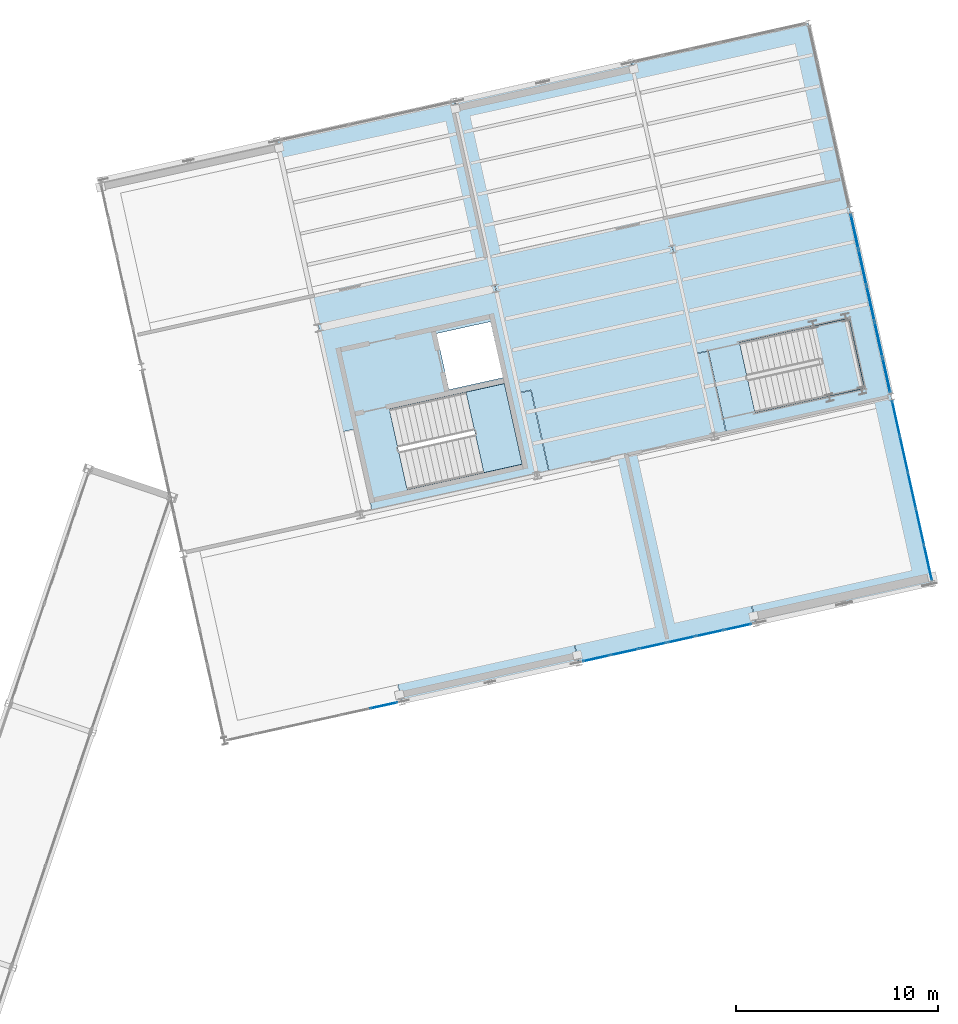
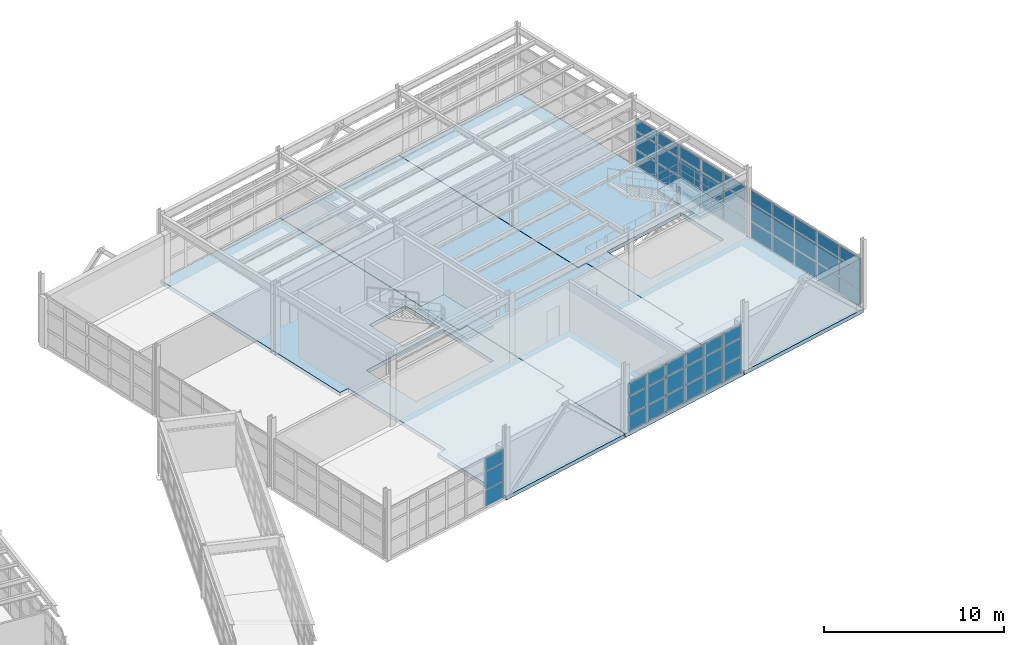
# One storey, part 72 of 102: 51 plates, 5 slabs, 6 elements without a shape of their own.
"""IFC4 building model written with IfcOpenShell, lengths in metres."""

import ifcopenshell
import ifcopenshell.guid

model = None  # the IFC model being written
_history = None  # IfcOwnerHistory: only IFC2X3 demands one
_inside = {}  # id of a spatial element -> (the spatial element, [elements in it])
_under = {}  # id of a project, library or spatial element -> (it, [spatial elements below it])
_declared = {}  # id of a project -> (the project, [libraries it declares])
_typed = {}  # id of a type object -> (the type object, [elements of that type])
_made_of = {}  # id of a material, layer set ... -> (it, [elements and type objects made of it])


def new_model(schema):
    """Start an empty IFC model of exactly this schema.

    Asked for "IFC4X3", IfcOpenShell would pick the latest addendum, in which some entities
    have other attributes; the version numbers below select the first issue.
    IFC2X3 requires an IfcOwnerHistory on every rooted entity: one is made here for all.
    """
    global model, _history
    if schema == "IFC4X3":
        model = ifcopenshell.file(schema_version=(4, 3, 0, 0))
    else:
        model = ifcopenshell.file(schema=schema)
    _inside.clear()
    _under.clear()
    _declared.clear()
    _typed.clear()
    _made_of.clear()
    _history = None
    if model.schema == "IFC2X3":
        org = make("IfcOrganization", Name="unknown")
        user = make(
            "IfcPersonAndOrganization",
            ThePerson=make("IfcPerson", FamilyName="unknown"),
            TheOrganization=org,
        )
        app = make(
            "IfcApplication",
            ApplicationDeveloper=org,
            Version="unknown",
            ApplicationFullName="unknown",
            ApplicationIdentifier="unknown",
        )
        _history = make(
            "IfcOwnerHistory",
            OwningUser=user,
            OwningApplication=app,
            ChangeAction="ADDED",
            CreationDate=0,
        )
    return model


def make(cls, **values):
    """One entity of the class cls with the attributes given. An attribute that is None is left unset."""
    return model.create_entity(
        cls, **{name: value for name, value in values.items() if value is not None}
    )


def rooted(cls, **values):
    """An entity with a GlobalId (a new one), such as an element, a storey or a relation."""
    return make(cls, GlobalId=ifcopenshell.guid.new(), OwnerHistory=_history, **values)


def si_unit(unit_type, name, prefix=None):
    """IfcSIUnit, for example si_unit("LENGTHUNIT", "METRE", prefix="MILLI")."""
    return make("IfcSIUnit", UnitType=unit_type, Prefix=prefix, Name=name)


def assignment(units):
    """IfcUnitAssignment: the units of a project."""
    return None if units is None else make("IfcUnitAssignment", Units=units)


def point(xyz):
    """IfcCartesianPoint."""
    return None if xyz is None else make("IfcCartesianPoint", Coordinates=xyz)


def direction(xyz):
    """IfcDirection."""
    return None if xyz is None else make("IfcDirection", DirectionRatios=xyz)


def frame(location, z_axis=None, x_axis=None):
    """IfcAxis2Placement3D, a coordinate frame: its origin and axes. An axis left out is left unset."""
    return make(
        "IfcAxis2Placement3D",
        Location=point(location),
        Axis=direction(z_axis),
        RefDirection=direction(x_axis),
    )


def frame_2d(location, x_axis=None):
    """IfcAxis2Placement2D, a coordinate frame in the plane: its origin and x axis."""
    return make(
        "IfcAxis2Placement2D", Location=point(location), RefDirection=direction(x_axis)
    )


def origin():
    """The frame at (0, 0, 0) with its axes left unset."""
    return frame((0.0, 0.0, 0.0))


def origin_2d():
    """The frame at (0, 0) in the plane with its x axis left unset."""
    return frame_2d((0.0, 0.0))


def place(relative_to, where):
    """IfcLocalPlacement: puts the frame where relative to a parent placement (None: the world)."""
    return make(
        "IfcLocalPlacement", PlacementRelTo=relative_to, RelativePlacement=where
    )


def context(
    kind, dimensions, precision=None, world=None, true_north=None, identifier=None
):
    """IfcGeometricRepresentationContext, for example the 3D "Model" context."""
    return make(
        "IfcGeometricRepresentationContext",
        ContextIdentifier=identifier,
        ContextType=kind,
        CoordinateSpaceDimension=dimensions,
        Precision=precision,
        WorldCoordinateSystem=world,
        TrueNorth=true_north,
    )


def subcontext(parent, identifier, kind, view, scale=None):
    """IfcGeometricRepresentationSubContext, for example "Body" below "Model"."""
    return make(
        "IfcGeometricRepresentationSubContext",
        ContextIdentifier=identifier,
        ContextType=kind,
        ParentContext=parent,
        TargetScale=scale,
        TargetView=view,
    )


def project(units=None, contexts=None):
    """IfcProject with its units and contexts."""
    return rooted(
        "IfcProject",
        Name="project",
        RepresentationContexts=contexts,
        UnitsInContext=assignment(units),
    )


def spatial(cls, under=None, at=None, **own):
    """A site, building, storey or space (cls), placed at a placement, below another one or the project."""
    s = rooted(cls, ObjectPlacement=at, **own)
    if under is not None:
        _under.setdefault(under.id(), (under, []))[1].append(s)
    return s


def polyline(points):
    """IfcPolyline through the points."""
    return make("IfcPolyline", Points=[point(p) for p in points])


def profile(cls, at=None, kind="AREA", **sizes):
    """A parametric profile (cls). Its sizes go by their IFC names, for example OverallWidth=200.0."""
    return make(cls, ProfileType=kind, Position=at, **sizes)


def rectangle(**sizes):
    """IfcRectangleProfileDef."""
    return profile("IfcRectangleProfileDef", **sizes)


def outline(outer, holes=None, kind="AREA"):
    """IfcArbitraryClosedProfileDef: a profile drawn as a closed curve; with holes, ...WithVoids."""
    if holes is None:
        return make("IfcArbitraryClosedProfileDef", ProfileType=kind, OuterCurve=outer)
    return make(
        "IfcArbitraryProfileDefWithVoids",
        ProfileType=kind,
        OuterCurve=outer,
        InnerCurves=holes,
    )


def extrude(swept, where, along, depth):
    """IfcExtrudedAreaSolid: the profile swept, set in the frame where, extruded along a direction by depth."""
    return make(
        "IfcExtrudedAreaSolid",
        SweptArea=swept,
        Position=where,
        ExtrudedDirection=direction(along),
        Depth=depth,
    )


def shape(context_of_items, identifier, shape_type, items):
    """IfcShapeRepresentation: the items that make up one representation, for example the "Body"."""
    return make(
        "IfcShapeRepresentation",
        ContextOfItems=context_of_items,
        RepresentationIdentifier=identifier,
        RepresentationType=shape_type,
        Items=items,
    )


def material(Name=None, Category=None):
    """IfcMaterial."""
    return make("IfcMaterial", Name=Name, Category=Category)


def layer(
    of_material, thickness, ventilated=None, Name=None, Category=None, Priority=None
):
    """IfcMaterialLayer: one layer of a wall or slab, of a material (None: an air gap)."""
    return make(
        "IfcMaterialLayer",
        Material=of_material,
        LayerThickness=thickness,
        IsVentilated=ventilated,
        Name=Name,
        Category=Category,
        Priority=Priority,
    )


def layer_set(layers, Name=None):
    """IfcMaterialLayerSet."""
    return make("IfcMaterialLayerSet", MaterialLayers=layers, LayerSetName=Name)


def made_of(thing, what):
    """Note that an element or type object is made of a material, layer set ...; save() writes the relation."""
    if what is not None:
        _made_of.setdefault(what.id(), (what, []))[1].append(thing)
    return thing


def type_object(cls, material=None, **own):
    """A type object (cls), such as IfcWallType, which elements share."""
    return made_of(rooted(cls, **own), material)


def element(
    cls,
    number,
    at=None,
    inside=None,
    cuts=None,
    type_object=None,
    material=None,
    context=None,
    identifier="Body",
    shape_type=None,
    held_by="IfcProductDefinitionShape",
    body=None,
    shapes=None,
    **own,
):
    """One element of the class cls, such as IfcWall. Its Tag is "e" and its number.

    at: its placement. inside: the storey or other place that contains it. cuts: it is an
    opening in that element (IfcRelVoidsElement). A single representation is given by context,
    identifier, shape_type and body (its items); several are given by shapes. held_by: the class
    of the entity that holds the representations. save() writes the other relations.
    """
    e = rooted(cls, Tag="e%d" % number, ObjectPlacement=at, **own)
    if body is not None:
        shapes = [shape(context, identifier, shape_type, body)]
    if shapes is not None:
        e.Representation = make(held_by, Representations=shapes)
    if inside is not None:
        _inside.setdefault(inside.id(), (inside, []))[1].append(e)
    if cuts is not None:
        rooted(
            "IfcRelVoidsElement", RelatingBuildingElement=cuts, RelatedOpeningElement=e
        )
    if type_object is not None:
        _typed.setdefault(type_object.id(), (type_object, []))[1].append(e)
    return made_of(e, material)


def aggregate(whole, parts):
    """IfcRelAggregates: a whole, such as a stair, and the parts it consists of."""
    return rooted("IfcRelAggregates", RelatingObject=whole, RelatedObjects=parts)


def save(model, path):
    """Write the relations noted so far, then the file.

    IfcRelAggregates (storeys below a building ...), IfcRelContainedInSpatialStructure (elements
    in a storey), IfcRelDefinesByType, IfcRelAssociatesMaterial and IfcRelDeclares: one each for
    every whole, place, type object, material and project.
    """
    for whole, parts in _under.values():
        aggregate(whole, parts)
    for where, things in _inside.values():
        rooted(
            "IfcRelContainedInSpatialStructure",
            RelatedElements=things,
            RelatingStructure=where,
        )
    for kind, things in _typed.values():
        rooted("IfcRelDefinesByType", RelatedObjects=things, RelatingType=kind)
    for what, things in _made_of.values():
        rooted("IfcRelAssociatesMaterial", RelatedObjects=things, RelatingMaterial=what)
    for by, libraries in _declared.values():
        rooted("IfcRelDeclares", RelatingContext=by, RelatedDefinitions=libraries)
    model.write(path)


model = new_model("IFC4")

# Units and contexts
model_context = context("Model", 3, precision=1e-05, world=origin(), true_north=direction((0.0, 1.0)))
body_context = subcontext(model_context, "Body", "Model", "MODEL_VIEW")
ifc_project = project(units=[si_unit("LENGTHUNIT", "METRE"), si_unit("AREAUNIT", "SQUARE_METRE"), si_unit("VOLUMEUNIT", "CUBIC_METRE"), si_unit("PLANEANGLEUNIT", "RADIAN"), si_unit("MASSUNIT", "GRAM", prefix="KILO")], contexts=[model_context])

# Site, building, storey
site_placement = place(None, origin())
site = spatial("IfcSite", under=ifc_project, at=site_placement, CompositionType="ELEMENT")
building_placement = place(site_placement, origin())
building = spatial("IfcBuilding", under=site, at=building_placement, Name="Vireo Bluff Cable Station", CompositionType="ELEMENT")
storey_placement = place(building_placement, frame((0.0, 0.0, 9.60009765625)))
storey = spatial("IfcBuildingStorey", under=building, at=storey_placement, Name="L02", CompositionType="ELEMENT", Elevation=9.60009765625)

# Curtain wall, plates
ifc_material_1 = material(Name="Anodized Aluminium 6063-T6", Category="aluminium")
ifc_layer_1 = layer(ifc_material_1, 0.159912109375, Name="Anodized Aluminium 6063-T6")
ifc_layer_set_1 = layer_set([ifc_layer_1], Name="Anodized Aluminium 6063-T6")
curtain_wall_type_1 = type_object("IfcCurtainWallType", Name="CW-STICK-1750", PredefinedType="USERDEFINED", material=ifc_layer_set_1)
curtain_wall_1_placement = place(storey_placement, origin())
curtain_wall_1 = element("IfcCurtainWall", 1, at=curtain_wall_1_placement, inside=storey, type_object=curtain_wall_type_1, Name="V2 L02 east curtain wall CW-060", ObjectType="STICK CURTAIN WALL", PredefinedType="USERDEFINED")
ifc_material_2 = material(Name="Laminated Low-E Insulated Glass", Category="glass")
ifc_layer_2 = layer(ifc_material_2, 0.028076171875, Name="Laminated Low-E Insulated Glass")
ifc_layer_set_2 = layer_set([ifc_layer_2], Name="Laminated Low-E Insulated Glass")
plate_type_1 = type_object("IfcPlateType", Name="CWP-28-1", PredefinedType="CURTAIN_PANEL", material=ifc_layer_set_2)
plate_1_placement = place(storey_placement, frame((159.32861328125, 89.99267578125, 0.06494140625), z_axis=(0.0, 0.0, 1.0), x_axis=(0.216439557384, -0.976296019658, 0.0)))
plate_1 = element("IfcPlate", 2, at=plate_1_placement, type_object=plate_type_1, Name="CW-060 panel 1.1", PredefinedType="CURTAIN_PANEL", context=body_context, shape_type="SweptSolid", body=[
    extrude(rectangle(XDim=1.742919921875, YDim=0.028076171875, at=origin_2d()), origin(), (0.0, 0.0, 1.0), 1.092529296875),
])
plate_2_placement = place(storey_placement, frame((159.32861328125, 89.99267578125, 1.22216796875), z_axis=(0.0, 0.0, 1.0), x_axis=(0.216439557384, -0.976296019658, 0.0)))
plate_2 = element("IfcPlate", 3, at=plate_2_placement, type_object=plate_type_1, Name="CW-060 panel 1.2", PredefinedType="CURTAIN_PANEL", context=body_context, shape_type="SweptSolid", body=[
    extrude(rectangle(XDim=1.742919921875, YDim=0.028076171875, at=origin_2d()), origin(), (0.0, 0.0, 1.0), 1.193115234375),
])
plate_3_placement = place(storey_placement, frame((159.32861328125, 89.99267578125, 2.48046875), z_axis=(0.0, 0.0, 1.0), x_axis=(0.216439557384, -0.976296019658, 0.0)))
plate_3 = element("IfcPlate", 4, at=plate_3_placement, type_object=plate_type_1, Name="CW-060 panel 1.3", PredefinedType="CURTAIN_PANEL", context=body_context, shape_type="SweptSolid", body=[
    extrude(rectangle(XDim=1.742919921875, YDim=0.028076171875, at=origin_2d()), origin(), (0.0, 0.0, 1.0), 0.8544921875),
])
plate_4_placement = place(storey_placement, frame((159.723388671875, 88.211669921875, 0.06494140625), z_axis=(0.0, 0.0, 1.0), x_axis=(0.216439557384, -0.976296019658, 0.0)))
plate_4 = element("IfcPlate", 5, at=plate_4_placement, type_object=plate_type_1, Name="CW-060 panel 2.1", PredefinedType="CURTAIN_PANEL", context=body_context, shape_type="SweptSolid", body=[
    extrude(rectangle(XDim=1.775390625, YDim=0.028076171875, at=origin_2d()), origin(), (0.0, 0.0, 1.0), 1.092529296875),
])
plate_5_placement = place(storey_placement, frame((159.723388671875, 88.211669921875, 1.22216796875), z_axis=(0.0, 0.0, 1.0), x_axis=(0.216439557384, -0.976296019658, 0.0)))
plate_5 = element("IfcPlate", 6, at=plate_5_placement, type_object=plate_type_1, Name="CW-060 panel 2.2", PredefinedType="CURTAIN_PANEL", context=body_context, shape_type="SweptSolid", body=[
    extrude(rectangle(XDim=1.775390625, YDim=0.028076171875, at=origin_2d()), origin(), (0.0, 0.0, 1.0), 1.193115234375),
])
plate_6_placement = place(storey_placement, frame((159.723388671875, 88.211669921875, 2.48046875), z_axis=(0.0, 0.0, 1.0), x_axis=(0.216439557384, -0.976296019658, 0.0)))
plate_6 = element("IfcPlate", 7, at=plate_6_placement, type_object=plate_type_1, Name="CW-060 panel 2.3", PredefinedType="CURTAIN_PANEL", context=body_context, shape_type="SweptSolid", body=[
    extrude(rectangle(XDim=1.775390625, YDim=0.028076171875, at=origin_2d()), origin(), (0.0, 0.0, 1.0), 0.8544921875),
])
plate_7_placement = place(storey_placement, frame((160.121826171875, 86.414794921875, 0.06494140625), z_axis=(0.0, 0.0, 1.0), x_axis=(0.216439557384, -0.976296019658, 0.0)))
plate_7 = element("IfcPlate", 8, at=plate_7_placement, type_object=plate_type_1, Name="CW-060 panel 3.1", PredefinedType="CURTAIN_PANEL", context=body_context, shape_type="SweptSolid", body=[
    extrude(rectangle(XDim=1.775390625, YDim=0.028076171875, at=origin_2d()), origin(), (0.0, 0.0, 1.0), 1.092529296875),
])
plate_8_placement = place(storey_placement, frame((160.121826171875, 86.414794921875, 1.22216796875), z_axis=(0.0, 0.0, 1.0), x_axis=(0.216439557384, -0.976296019658, 0.0)))
plate_8 = element("IfcPlate", 9, at=plate_8_placement, type_object=plate_type_1, Name="CW-060 panel 3.2", PredefinedType="CURTAIN_PANEL", context=body_context, shape_type="SweptSolid", body=[
    extrude(rectangle(XDim=1.775390625, YDim=0.028076171875, at=origin_2d()), origin(), (0.0, 0.0, 1.0), 1.193115234375),
])
plate_9_placement = place(storey_placement, frame((160.121826171875, 86.414794921875, 2.48046875), z_axis=(0.0, 0.0, 1.0), x_axis=(0.216439557384, -0.976296019658, 0.0)))
plate_9 = element("IfcPlate", 10, at=plate_9_placement, type_object=plate_type_1, Name="CW-060 panel 3.3", PredefinedType="CURTAIN_PANEL", context=body_context, shape_type="SweptSolid", body=[
    extrude(rectangle(XDim=1.775390625, YDim=0.028076171875, at=origin_2d()), origin(), (0.0, 0.0, 1.0), 0.8544921875),
])
plate_10_placement = place(storey_placement, frame((160.52001953125, 84.617919921875, 0.06494140625), z_axis=(0.0, 0.0, 1.0), x_axis=(0.216439557384, -0.976296019658, 0.0)))
plate_10 = element("IfcPlate", 11, at=plate_10_placement, type_object=plate_type_1, Name="CW-060 panel 4.1", PredefinedType="CURTAIN_PANEL", context=body_context, shape_type="SweptSolid", body=[
    extrude(rectangle(XDim=1.775390625, YDim=0.028076171875, at=origin_2d()), origin(), (0.0, 0.0, 1.0), 1.092529296875),
])
plate_11_placement = place(storey_placement, frame((160.52001953125, 84.617919921875, 1.22216796875), z_axis=(0.0, 0.0, 1.0), x_axis=(0.216439557384, -0.976296019658, 0.0)))
plate_11 = element("IfcPlate", 12, at=plate_11_placement, type_object=plate_type_1, Name="CW-060 panel 4.2", PredefinedType="CURTAIN_PANEL", context=body_context, shape_type="SweptSolid", body=[
    extrude(rectangle(XDim=1.775390625, YDim=0.028076171875, at=origin_2d()), origin(), (0.0, 0.0, 1.0), 1.193115234375),
])
plate_12_placement = place(storey_placement, frame((160.52001953125, 84.617919921875, 2.48046875), z_axis=(0.0, 0.0, 1.0), x_axis=(0.216439557384, -0.976296019658, 0.0)))
plate_12 = element("IfcPlate", 13, at=plate_12_placement, type_object=plate_type_1, Name="CW-060 panel 4.3", PredefinedType="CURTAIN_PANEL", context=body_context, shape_type="SweptSolid", body=[
    extrude(rectangle(XDim=1.775390625, YDim=0.028076171875, at=origin_2d()), origin(), (0.0, 0.0, 1.0), 0.8544921875),
])
plate_13_placement = place(storey_placement, frame((160.9150390625, 82.8369140625, 0.06494140625), z_axis=(0.0, 0.0, 1.0), x_axis=(0.216439557384, -0.976296019658, 0.0)))
plate_13 = element("IfcPlate", 14, at=plate_13_placement, type_object=plate_type_1, Name="CW-060 panel 5.1", PredefinedType="CURTAIN_PANEL", context=body_context, shape_type="SweptSolid", body=[
    extrude(rectangle(XDim=1.742919921875, YDim=0.028076171875, at=origin_2d()), origin(), (0.0, 0.0, 1.0), 1.092529296875),
])
plate_14_placement = place(storey_placement, frame((160.9150390625, 82.8369140625, 1.22216796875), z_axis=(0.0, 0.0, 1.0), x_axis=(0.216439557384, -0.976296019658, 0.0)))
plate_14 = element("IfcPlate", 15, at=plate_14_placement, type_object=plate_type_1, Name="CW-060 panel 5.2", PredefinedType="CURTAIN_PANEL", context=body_context, shape_type="SweptSolid", body=[
    extrude(rectangle(XDim=1.742919921875, YDim=0.028076171875, at=origin_2d()), origin(), (0.0, 0.0, 1.0), 1.193115234375),
])
plate_15_placement = place(storey_placement, frame((160.9150390625, 82.8369140625, 2.48046875), z_axis=(0.0, 0.0, 1.0), x_axis=(0.216439557384, -0.976296019658, 0.0)))
plate_15 = element("IfcPlate", 16, at=plate_15_placement, type_object=plate_type_1, Name="CW-060 panel 5.3", PredefinedType="CURTAIN_PANEL", context=body_context, shape_type="SweptSolid", body=[
    extrude(rectangle(XDim=1.742919921875, YDim=0.028076171875, at=origin_2d()), origin(), (0.0, 0.0, 1.0), 0.8544921875),
])
aggregate(curtain_wall_1, [plate_1, plate_2, plate_3, plate_4, plate_5, plate_6, plate_7, plate_8, plate_9, plate_10, plate_11, plate_12, plate_13, plate_14, plate_15])

ifc_layer_3 = layer(ifc_material_1, 0.179931640625, Name="Anodized Aluminium 6063-T6")
ifc_layer_set_3 = layer_set([ifc_layer_3], Name="Anodized Aluminium 6063-T6")
curtain_wall_type_2 = type_object("IfcCurtainWallType", Name="CW-UNIT-1400", PredefinedType="USERDEFINED", material=ifc_layer_set_3)
curtain_wall_2_placement = place(storey_placement, origin())
curtain_wall_2 = element("IfcCurtainWall", 17, at=curtain_wall_2_placement, inside=storey, type_object=curtain_wall_type_2, Name="V2 L02 south curtain wall CW-051", ObjectType="UNITISED CURTAIN WALL", PredefinedType="USERDEFINED")
ifc_layer_4 = layer(ifc_material_2, 0.031982421875, Name="Laminated Low-E Insulated Glass")
ifc_layer_set_4 = layer_set([ifc_layer_4], Name="Laminated Low-E Insulated Glass")
plate_type_2 = type_object("IfcPlateType", Name="CWP-32-2", PredefinedType="CURTAIN_PANEL", material=ifc_layer_set_4)
plate_16_placement = place(storey_placement, frame((151.481201171875, 79.64892578125, 0.080078125), z_axis=(0.0, 0.0, 1.0), x_axis=(-0.976296009224, -0.216439604447, 0.0)))
plate_16 = element("IfcPlate", 18, at=plate_16_placement, type_object=plate_type_2, Name="CW-051 panel 1.1", PredefinedType="CURTAIN_PANEL", context=body_context, shape_type="SweptSolid", body=[
    extrude(rectangle(XDim=1.327392578125, YDim=0.031982421875, at=origin_2d()), origin(), (0.0, 0.0, 1.0), 1.070068359375),
])
plate_17_placement = place(storey_placement, frame((151.481201171875, 79.64892578125, 1.22998046875), z_axis=(0.0, 0.0, 1.0), x_axis=(-0.976296009224, -0.216439604447, 0.0)))
plate_17 = element("IfcPlate", 19, at=plate_17_placement, type_object=plate_type_2, Name="CW-051 panel 1.2", PredefinedType="CURTAIN_PANEL", context=body_context, shape_type="SweptSolid", body=[
    extrude(rectangle(XDim=1.327392578125, YDim=0.031982421875, at=origin_2d()), origin(), (0.0, 0.0, 1.0), 1.177978515625),
])
plate_18_placement = place(storey_placement, frame((151.481201171875, 79.64892578125, 2.48779296875), z_axis=(0.0, 0.0, 1.0), x_axis=(-0.976296009224, -0.216439604447, 0.0)))
plate_18 = element("IfcPlate", 20, at=plate_18_placement, type_object=plate_type_2, Name="CW-051 panel 1.3", PredefinedType="CURTAIN_PANEL", context=body_context, shape_type="SweptSolid", body=[
    extrude(rectangle(XDim=1.327392578125, YDim=0.031982421875, at=origin_2d()), origin(), (0.0, 0.0, 1.0), 0.83203125),
])
plate_19_placement = place(storey_placement, frame((150.08740234375, 79.340087890625, 0.080078125), z_axis=(0.0, 0.0, 1.0), x_axis=(-0.976296009224, -0.216439604447, 0.0)))
plate_19 = element("IfcPlate", 21, at=plate_19_placement, type_object=plate_type_2, Name="CW-051 panel 2.1", PredefinedType="CURTAIN_PANEL", context=body_context, shape_type="SweptSolid", body=[
    extrude(rectangle(XDim=1.367431640625, YDim=0.031982421875, at=origin_2d()), origin(), (0.0, 0.0, 1.0), 1.070068359375),
])
plate_20_placement = place(storey_placement, frame((150.08740234375, 79.340087890625, 1.22998046875), z_axis=(0.0, 0.0, 1.0), x_axis=(-0.976296009224, -0.216439604447, 0.0)))
plate_20 = element("IfcPlate", 22, at=plate_20_placement, type_object=plate_type_2, Name="CW-051 panel 2.2", PredefinedType="CURTAIN_PANEL", context=body_context, shape_type="SweptSolid", body=[
    extrude(rectangle(XDim=1.367431640625, YDim=0.031982421875, at=origin_2d()), origin(), (0.0, 0.0, 1.0), 1.177978515625),
])
plate_21_placement = place(storey_placement, frame((150.08740234375, 79.340087890625, 2.48779296875), z_axis=(0.0, 0.0, 1.0), x_axis=(-0.976296009224, -0.216439604447, 0.0)))
plate_21 = element("IfcPlate", 23, at=plate_21_placement, type_object=plate_type_2, Name="CW-051 panel 2.3", PredefinedType="CURTAIN_PANEL", context=body_context, shape_type="SweptSolid", body=[
    extrude(rectangle(XDim=1.367431640625, YDim=0.031982421875, at=origin_2d()), origin(), (0.0, 0.0, 1.0), 0.83203125),
])
plate_22_placement = place(storey_placement, frame((148.67431640625, 79.02685546875, 0.080078125), z_axis=(0.0, 0.0, 1.0), x_axis=(-0.976296009224, -0.216439604447, 0.0)))
plate_22 = element("IfcPlate", 24, at=plate_22_placement, type_object=plate_type_2, Name="CW-051 panel 3.1", PredefinedType="CURTAIN_PANEL", context=body_context, shape_type="SweptSolid", body=[
    extrude(rectangle(XDim=1.367431640625, YDim=0.031982421875, at=origin_2d()), origin(), (0.0, 0.0, 1.0), 1.070068359375),
])
plate_23_placement = place(storey_placement, frame((148.67431640625, 79.02685546875, 1.22998046875), z_axis=(0.0, 0.0, 1.0), x_axis=(-0.976296009224, -0.216439604447, 0.0)))
plate_23 = element("IfcPlate", 25, at=plate_23_placement, type_object=plate_type_2, Name="CW-051 panel 3.2", PredefinedType="CURTAIN_PANEL", context=body_context, shape_type="SweptSolid", body=[
    extrude(rectangle(XDim=1.367431640625, YDim=0.031982421875, at=origin_2d()), origin(), (0.0, 0.0, 1.0), 1.177978515625),
])
plate_24_placement = place(storey_placement, frame((148.67431640625, 79.02685546875, 2.48779296875), z_axis=(0.0, 0.0, 1.0), x_axis=(-0.976296009224, -0.216439604447, 0.0)))
plate_24 = element("IfcPlate", 26, at=plate_24_placement, type_object=plate_type_2, Name="CW-051 panel 3.3", PredefinedType="CURTAIN_PANEL", context=body_context, shape_type="SweptSolid", body=[
    extrude(rectangle(XDim=1.367431640625, YDim=0.031982421875, at=origin_2d()), origin(), (0.0, 0.0, 1.0), 0.83203125),
])
plate_25_placement = place(storey_placement, frame((147.260986328125, 78.71337890625, 0.080078125), z_axis=(0.0, 0.0, 1.0), x_axis=(-0.976296009224, -0.216439604447, 0.0)))
plate_25 = element("IfcPlate", 27, at=plate_25_placement, type_object=plate_type_2, Name="CW-051 panel 4.1", PredefinedType="CURTAIN_PANEL", context=body_context, shape_type="SweptSolid", body=[
    extrude(rectangle(XDim=1.367431640625, YDim=0.031982421875, at=origin_2d()), origin(), (0.0, 0.0, 1.0), 1.070068359375),
])
plate_26_placement = place(storey_placement, frame((147.260986328125, 78.71337890625, 1.22998046875), z_axis=(0.0, 0.0, 1.0), x_axis=(-0.976296009224, -0.216439604447, 0.0)))
plate_26 = element("IfcPlate", 28, at=plate_26_placement, type_object=plate_type_2, Name="CW-051 panel 4.2", PredefinedType="CURTAIN_PANEL", context=body_context, shape_type="SweptSolid", body=[
    extrude(rectangle(XDim=1.367431640625, YDim=0.031982421875, at=origin_2d()), origin(), (0.0, 0.0, 1.0), 1.177978515625),
])
plate_27_placement = place(storey_placement, frame((147.260986328125, 78.71337890625, 2.48779296875), z_axis=(0.0, 0.0, 1.0), x_axis=(-0.976296009224, -0.216439604447, 0.0)))
plate_27 = element("IfcPlate", 29, at=plate_27_placement, type_object=plate_type_2, Name="CW-051 panel 4.3", PredefinedType="CURTAIN_PANEL", context=body_context, shape_type="SweptSolid", body=[
    extrude(rectangle(XDim=1.367431640625, YDim=0.031982421875, at=origin_2d()), origin(), (0.0, 0.0, 1.0), 0.83203125),
])
plate_28_placement = place(storey_placement, frame((145.847900390625, 78.400146484375, 0.080078125), z_axis=(0.0, 0.0, 1.0), x_axis=(-0.976296009224, -0.216439604447, 0.0)))
plate_28 = element("IfcPlate", 30, at=plate_28_placement, type_object=plate_type_2, Name="CW-051 panel 5.1", PredefinedType="CURTAIN_PANEL", context=body_context, shape_type="SweptSolid", body=[
    extrude(rectangle(XDim=1.367431640625, YDim=0.031982421875, at=origin_2d()), origin(), (0.0, 0.0, 1.0), 1.070068359375),
])
plate_29_placement = place(storey_placement, frame((145.847900390625, 78.400146484375, 1.22998046875), z_axis=(0.0, 0.0, 1.0), x_axis=(-0.976296009224, -0.216439604447, 0.0)))
plate_29 = element("IfcPlate", 31, at=plate_29_placement, type_object=plate_type_2, Name="CW-051 panel 5.2", PredefinedType="CURTAIN_PANEL", context=body_context, shape_type="SweptSolid", body=[
    extrude(rectangle(XDim=1.367431640625, YDim=0.031982421875, at=origin_2d()), origin(), (0.0, 0.0, 1.0), 1.177978515625),
])
plate_30_placement = place(storey_placement, frame((145.847900390625, 78.400146484375, 2.48779296875), z_axis=(0.0, 0.0, 1.0), x_axis=(-0.976296009224, -0.216439604447, 0.0)))
plate_30 = element("IfcPlate", 32, at=plate_30_placement, type_object=plate_type_2, Name="CW-051 panel 5.3", PredefinedType="CURTAIN_PANEL", context=body_context, shape_type="SweptSolid", body=[
    extrude(rectangle(XDim=1.367431640625, YDim=0.031982421875, at=origin_2d()), origin(), (0.0, 0.0, 1.0), 0.83203125),
])
plate_31_placement = place(storey_placement, frame((144.4541015625, 78.09130859375, 0.080078125), z_axis=(0.0, 0.0, 1.0), x_axis=(-0.976296009224, -0.216439604447, 0.0)))
plate_31 = element("IfcPlate", 33, at=plate_31_placement, type_object=plate_type_2, Name="CW-051 panel 6.1", PredefinedType="CURTAIN_PANEL", context=body_context, shape_type="SweptSolid", body=[
    extrude(rectangle(XDim=1.327392578125, YDim=0.031982421875, at=origin_2d()), origin(), (0.0, 0.0, 1.0), 1.070068359375),
])
plate_32_placement = place(storey_placement, frame((144.4541015625, 78.09130859375, 1.22998046875), z_axis=(0.0, 0.0, 1.0), x_axis=(-0.976296009224, -0.216439604447, 0.0)))
plate_32 = element("IfcPlate", 34, at=plate_32_placement, type_object=plate_type_2, Name="CW-051 panel 6.2", PredefinedType="CURTAIN_PANEL", context=body_context, shape_type="SweptSolid", body=[
    extrude(rectangle(XDim=1.327392578125, YDim=0.031982421875, at=origin_2d()), origin(), (0.0, 0.0, 1.0), 1.177978515625),
])
plate_33_placement = place(storey_placement, frame((144.4541015625, 78.09130859375, 2.48779296875), z_axis=(0.0, 0.0, 1.0), x_axis=(-0.976296009224, -0.216439604447, 0.0)))
plate_33 = element("IfcPlate", 35, at=plate_33_placement, type_object=plate_type_2, Name="CW-051 panel 6.3", PredefinedType="CURTAIN_PANEL", context=body_context, shape_type="SweptSolid", body=[
    extrude(rectangle(XDim=1.327392578125, YDim=0.031982421875, at=origin_2d()), origin(), (0.0, 0.0, 1.0), 0.83203125),
])
aggregate(curtain_wall_2, [plate_16, plate_17, plate_18, plate_19, plate_20, plate_21, plate_22, plate_23, plate_24, plate_25, plate_26, plate_27, plate_28, plate_29, plate_30, plate_31, plate_32, plate_33])

ifc_layer_5 = layer(ifc_material_1, 0.179931640625, Name="Anodized Aluminium 6063-T6")
ifc_layer_set_5 = layer_set([ifc_layer_5], Name="Anodized Aluminium 6063-T6")
curtain_wall_type_3 = type_object("IfcCurtainWallType", Name="CW-UNIT-1500", PredefinedType="USERDEFINED", material=ifc_layer_set_5)
curtain_wall_3_placement = place(storey_placement, origin())
curtain_wall_3 = element("IfcCurtainWall", 36, at=curtain_wall_3_placement, inside=storey, type_object=curtain_wall_type_3, Name="V2 L02 south curtain wall CW-052", ObjectType="UNITISED CURTAIN WALL", PredefinedType="USERDEFINED")
ifc_layer_6 = layer(ifc_material_2, 0.035888671875, Name="Laminated Low-E Insulated Glass")
ifc_layer_set_6 = layer_set([ifc_layer_6], Name="Laminated Low-E Insulated Glass")
plate_type_3 = type_object("IfcPlateType", Name="CWP-36-3", PredefinedType="CURTAIN_PANEL", material=ifc_layer_set_6)
plate_34_placement = place(storey_placement, frame((133.908935546875, 75.75341796875, 0.06494140625), z_axis=(0.0, 0.0, 1.0), x_axis=(-0.976296009896, -0.216439601414, 0.0)))
plate_34 = element("IfcPlate", 37, at=plate_34_placement, type_object=plate_type_3, Name="CW-052 panel 1.1", PredefinedType="CURTAIN_PANEL", context=body_context, shape_type="SweptSolid", body=[
    extrude(rectangle(XDim=1.35498046875, YDim=0.035888671875, at=origin_2d()), origin(), (0.0, 0.0, 1.0), 1.092529296875),
])
plate_35_placement = place(storey_placement, frame((133.908935546875, 75.75341796875, 1.22216796875), z_axis=(0.0, 0.0, 1.0), x_axis=(-0.976296009896, -0.216439601414, 0.0)))
plate_35 = element("IfcPlate", 38, at=plate_35_placement, type_object=plate_type_3, Name="CW-052 panel 1.2", PredefinedType="CURTAIN_PANEL", context=body_context, shape_type="SweptSolid", body=[
    extrude(rectangle(XDim=1.35498046875, YDim=0.035888671875, at=origin_2d()), origin(), (0.0, 0.0, 1.0), 1.193115234375),
])
plate_36_placement = place(storey_placement, frame((133.908935546875, 75.75341796875, 2.48046875), z_axis=(0.0, 0.0, 1.0), x_axis=(-0.976296009896, -0.216439601414, 0.0)))
plate_36 = element("IfcPlate", 39, at=plate_36_placement, type_object=plate_type_3, Name="CW-052 panel 1.3", PredefinedType="CURTAIN_PANEL", context=body_context, shape_type="SweptSolid", body=[
    extrude(rectangle(XDim=1.35498046875, YDim=0.035888671875, at=origin_2d()), origin(), (0.0, 0.0, 1.0), 0.8544921875),
])
aggregate(curtain_wall_3, [plate_34, plate_35, plate_36])

ifc_layer_7 = layer(ifc_material_1, 0.159912109375, Name="Anodized Aluminium 6063-T6")
ifc_layer_set_7 = layer_set([ifc_layer_7], Name="Anodized Aluminium 6063-T6")
curtain_wall_type_4 = type_object("IfcCurtainWallType", Name="CW-STICK-1850", PredefinedType="USERDEFINED", material=ifc_layer_set_7)
curtain_wall_4_placement = place(storey_placement, origin())
curtain_wall_4 = element("IfcCurtainWall", 40, at=curtain_wall_4_placement, inside=storey, type_object=curtain_wall_type_4, Name="V2 L02 east curtain wall CW-059", ObjectType="STICK CURTAIN WALL", PredefinedType="USERDEFINED")
ifc_material_3 = material(Name="Insulated Spandrel Glass Panel", Category="glass")
ifc_layer_8 = layer(ifc_material_3, 0.048095703125, Name="Insulated Spandrel Glass Panel")
ifc_layer_set_8 = layer_set([ifc_layer_8], Name="Insulated Spandrel Glass Panel")
plate_type_4 = type_object("IfcPlateType", Name="CWP-48-5", PredefinedType="CURTAIN_PANEL", material=ifc_layer_set_8)
plate_37_placement = place(storey_placement, frame((157.2724609375, 99.266845703125, 0.080078125), z_axis=(0.0, 0.0, 1.0), x_axis=(0.216439664017, -0.976295996018, 0.0)))
plate_37 = element("IfcPlate", 41, at=plate_37_placement, type_object=plate_type_4, Name="CW-059 panel 1.1", PredefinedType="CURTAIN_PANEL", context=body_context, shape_type="SweptSolid", body=[
    extrude(rectangle(XDim=1.714599609375, YDim=0.048095703125, at=origin_2d()), origin(), (0.0, 0.0, 1.0), 1.070068359375),
])
plate_38_placement = place(storey_placement, frame((157.2724609375, 99.266845703125, 1.22998046875), z_axis=(0.0, 0.0, 1.0), x_axis=(0.216439664017, -0.976295996018, 0.0)))
plate_38 = element("IfcPlate", 42, at=plate_38_placement, type_object=plate_type_4, Name="CW-059 panel 1.2", PredefinedType="CURTAIN_PANEL", context=body_context, shape_type="SweptSolid", body=[
    extrude(rectangle(XDim=1.714599609375, YDim=0.048095703125, at=origin_2d()), origin(), (0.0, 0.0, 1.0), 1.177978515625),
])
plate_39_placement = place(storey_placement, frame((157.2724609375, 99.266845703125, 2.48779296875), z_axis=(0.0, 0.0, 1.0), x_axis=(0.216439664017, -0.976295996018, 0.0)))
plate_39 = element("IfcPlate", 43, at=plate_39_placement, type_object=plate_type_4, Name="CW-059 panel 1.3", PredefinedType="CURTAIN_PANEL", context=body_context, shape_type="SweptSolid", body=[
    extrude(rectangle(XDim=1.714599609375, YDim=0.048095703125, at=origin_2d()), origin(), (0.0, 0.0, 1.0), 0.83203125),
])
plate_40_placement = place(storey_placement, frame((157.665283203125, 97.4951171875, 0.080078125), z_axis=(0.0, 0.0, 1.0), x_axis=(0.216439664017, -0.976295996018, 0.0)))
plate_40 = element("IfcPlate", 44, at=plate_40_placement, type_object=plate_type_4, Name="CW-059 panel 2.1", PredefinedType="CURTAIN_PANEL", context=body_context, shape_type="SweptSolid", body=[
    extrude(rectangle(XDim=1.754638671875, YDim=0.048095703125, at=origin_2d()), origin(), (0.0, 0.0, 1.0), 1.070068359375),
])
plate_41_placement = place(storey_placement, frame((157.665283203125, 97.4951171875, 1.22998046875), z_axis=(0.0, 0.0, 1.0), x_axis=(0.216439664017, -0.976295996018, 0.0)))
plate_41 = element("IfcPlate", 45, at=plate_41_placement, type_object=plate_type_4, Name="CW-059 panel 2.2", PredefinedType="CURTAIN_PANEL", context=body_context, shape_type="SweptSolid", body=[
    extrude(rectangle(XDim=1.754638671875, YDim=0.048095703125, at=origin_2d()), origin(), (0.0, 0.0, 1.0), 1.177978515625),
])
plate_42_placement = place(storey_placement, frame((157.665283203125, 97.4951171875, 2.48779296875), z_axis=(0.0, 0.0, 1.0), x_axis=(0.216439664017, -0.976295996018, 0.0)))
plate_42 = element("IfcPlate", 46, at=plate_42_placement, type_object=plate_type_4, Name="CW-059 panel 2.3", PredefinedType="CURTAIN_PANEL", context=body_context, shape_type="SweptSolid", body=[
    extrude(rectangle(XDim=1.754638671875, YDim=0.048095703125, at=origin_2d()), origin(), (0.0, 0.0, 1.0), 0.83203125),
])
plate_43_placement = place(storey_placement, frame((158.0625, 95.7041015625, 0.080078125), z_axis=(0.0, 0.0, 1.0), x_axis=(0.216439664017, -0.976295996018, 0.0)))
plate_43 = element("IfcPlate", 47, at=plate_43_placement, type_object=plate_type_4, Name="CW-059 panel 3.1", PredefinedType="CURTAIN_PANEL", context=body_context, shape_type="SweptSolid", body=[
    extrude(rectangle(XDim=1.754638671875, YDim=0.048095703125, at=origin_2d()), origin(), (0.0, 0.0, 1.0), 1.070068359375),
])
plate_44_placement = place(storey_placement, frame((158.0625, 95.7041015625, 1.22998046875), z_axis=(0.0, 0.0, 1.0), x_axis=(0.216439664017, -0.976295996018, 0.0)))
plate_44 = element("IfcPlate", 48, at=plate_44_placement, type_object=plate_type_4, Name="CW-059 panel 3.2", PredefinedType="CURTAIN_PANEL", context=body_context, shape_type="SweptSolid", body=[
    extrude(rectangle(XDim=1.754638671875, YDim=0.048095703125, at=origin_2d()), origin(), (0.0, 0.0, 1.0), 1.177978515625),
])
plate_45_placement = place(storey_placement, frame((158.0625, 95.7041015625, 2.48779296875), z_axis=(0.0, 0.0, 1.0), x_axis=(0.216439664017, -0.976295996018, 0.0)))
plate_45 = element("IfcPlate", 49, at=plate_45_placement, type_object=plate_type_4, Name="CW-059 panel 3.3", PredefinedType="CURTAIN_PANEL", context=body_context, shape_type="SweptSolid", body=[
    extrude(rectangle(XDim=1.754638671875, YDim=0.048095703125, at=origin_2d()), origin(), (0.0, 0.0, 1.0), 0.83203125),
])
plate_46_placement = place(storey_placement, frame((158.45947265625, 93.912841796875, 0.080078125), z_axis=(0.0, 0.0, 1.0), x_axis=(0.216439664017, -0.976295996018, 0.0)))
plate_46 = element("IfcPlate", 50, at=plate_46_placement, type_object=plate_type_4, Name="CW-059 panel 4.1", PredefinedType="CURTAIN_PANEL", context=body_context, shape_type="SweptSolid", body=[
    extrude(rectangle(XDim=1.754638671875, YDim=0.048095703125, at=origin_2d()), origin(), (0.0, 0.0, 1.0), 1.070068359375),
])
plate_47_placement = place(storey_placement, frame((158.45947265625, 93.912841796875, 1.22998046875), z_axis=(0.0, 0.0, 1.0), x_axis=(0.216439664017, -0.976295996018, 0.0)))
plate_47 = element("IfcPlate", 51, at=plate_47_placement, type_object=plate_type_4, Name="CW-059 panel 4.2", PredefinedType="CURTAIN_PANEL", context=body_context, shape_type="SweptSolid", body=[
    extrude(rectangle(XDim=1.754638671875, YDim=0.048095703125, at=origin_2d()), origin(), (0.0, 0.0, 1.0), 1.177978515625),
])
plate_48_placement = place(storey_placement, frame((158.45947265625, 93.912841796875, 2.48779296875), z_axis=(0.0, 0.0, 1.0), x_axis=(0.216439664017, -0.976295996018, 0.0)))
plate_48 = element("IfcPlate", 52, at=plate_48_placement, type_object=plate_type_4, Name="CW-059 panel 4.3", PredefinedType="CURTAIN_PANEL", context=body_context, shape_type="SweptSolid", body=[
    extrude(rectangle(XDim=1.754638671875, YDim=0.048095703125, at=origin_2d()), origin(), (0.0, 0.0, 1.0), 0.83203125),
])
plate_49_placement = place(storey_placement, frame((158.852294921875, 92.141357421875, 0.080078125), z_axis=(0.0, 0.0, 1.0), x_axis=(0.216439664017, -0.976295996018, 0.0)))
plate_49 = element("IfcPlate", 53, at=plate_49_placement, type_object=plate_type_4, Name="CW-059 panel 5.1", PredefinedType="CURTAIN_PANEL", context=body_context, shape_type="SweptSolid", body=[
    extrude(rectangle(XDim=1.714599609375, YDim=0.048095703125, at=origin_2d()), origin(), (0.0, 0.0, 1.0), 1.070068359375),
])
plate_50_placement = place(storey_placement, frame((158.852294921875, 92.141357421875, 1.22998046875), z_axis=(0.0, 0.0, 1.0), x_axis=(0.216439664017, -0.976295996018, 0.0)))
plate_50 = element("IfcPlate", 54, at=plate_50_placement, type_object=plate_type_4, Name="CW-059 panel 5.2", PredefinedType="CURTAIN_PANEL", context=body_context, shape_type="SweptSolid", body=[
    extrude(rectangle(XDim=1.714599609375, YDim=0.048095703125, at=origin_2d()), origin(), (0.0, 0.0, 1.0), 1.177978515625),
])
plate_51_placement = place(storey_placement, frame((158.852294921875, 92.141357421875, 2.48779296875), z_axis=(0.0, 0.0, 1.0), x_axis=(0.216439664017, -0.976295996018, 0.0)))
plate_51 = element("IfcPlate", 55, at=plate_51_placement, type_object=plate_type_4, Name="CW-059 panel 5.3", PredefinedType="CURTAIN_PANEL", context=body_context, shape_type="SweptSolid", body=[
    extrude(rectangle(XDim=1.714599609375, YDim=0.048095703125, at=origin_2d()), origin(), (0.0, 0.0, 1.0), 0.83203125),
])
aggregate(curtain_wall_4, [plate_37, plate_38, plate_39, plate_40, plate_41, plate_42, plate_43, plate_44, plate_45, plate_46, plate_47, plate_48, plate_49, plate_50, plate_51])

# Slabs
ifc_material_4 = material(Name="Concrete f'c 40 MPa", Category="concrete")
ifc_layer_9 = layer(ifc_material_4, 0.260009765625, Name="Concrete f'c 40 MPa")
ifc_layer_set_9 = layer_set([ifc_layer_9], Name="Concrete f'c 40 MPa")
slab_type_1 = type_object("IfcSlabType", Name="FLOORSLAB-260", PredefinedType="FLOOR", material=ifc_layer_set_9)
slab_1_placement = place(storey_placement, frame((0.0, 0.0, -0.260009765625)))
element("IfcSlab", 56, at=slab_1_placement, inside=storey, type_object=slab_type_1, Name="V2 L02 floor slab bay 2", PredefinedType="FLOOR", context=body_context, shape_type="SweptSolid", body=[
    extrude(outline(polyline([(134.79638671875, 75.9501953125), (143.5634765625, 77.893798828125), (142.329833984375, 83.458740234375), (142.93505859375, 83.5927734375), (141.2080078125, 91.3837890625), (140.602783203125, 91.24951171875), (137.39501953125, 105.71826171875), (128.6279296875, 103.774658203125), (131.831298828125, 89.325439453125), (132.4365234375, 89.45947265625), (134.17236328125, 81.629638671875), (133.567138671875, 81.495361328125), (134.79638671875, 75.9501953125)]), holes=[polyline([(135.069091796875, 86.458984375), (134.18212890625, 90.460205078125), (139.891845703125, 91.72607421875), (140.77880859375, 87.724853515625), (135.069091796875, 86.458984375)]), polyline([(137.143310546875, 91.42578125), (136.52685546875, 94.20654296875), (139.2099609375, 94.801513671875), (139.82666015625, 92.0205078125), (137.143310546875, 91.42578125)])]), origin(), (0.0, 0.0, 1.0), 0.260009765625),
])
slab_2_placement = place(storey_placement, frame((0.0, 0.0, -0.260009765625)))
element("IfcSlab", 57, at=slab_2_placement, inside=storey, type_object=slab_type_1, Name="V2 L02 floor slab bay 3", PredefinedType="FLOOR", context=body_context, shape_type="SweptSolid", body=[
    extrude(outline(polyline([(143.5830078125, 77.898193359375), (152.350341796875, 79.841796875), (151.116455078125, 85.406494140625), (151.721923828125, 85.540771484375), (149.99462890625, 93.33154296875), (149.389404296875, 93.197509765625), (146.181640625, 107.666259765625), (137.41455078125, 105.722412109375), (140.617919921875, 91.2734375), (141.22314453125, 91.407470703125), (142.958984375, 83.57763671875), (142.353759765625, 83.443359375), (143.5830078125, 77.898193359375)])), origin(), (0.0, 0.0, 1.0), 0.260009765625),
])
slab_3_placement = place(storey_placement, frame((0.0, 0.0, -0.260009765625)))
element("IfcSlab", 58, at=slab_3_placement, inside=storey, type_object=slab_type_1, Name="V2 L02 floor slab bay 4", PredefinedType="FLOOR", context=body_context, shape_type="SweptSolid", body=[
    extrude(outline(polyline([(152.369873046875, 79.845947265625), (161.146728515625, 81.791748046875), (154.97802734375, 109.6162109375), (146.201171875, 107.67041015625), (149.404541015625, 93.22119140625), (150.009765625, 93.35546875), (151.74560546875, 85.525634765625), (151.140380859375, 85.391357421875), (152.369873046875, 79.845947265625)]), holes=[polyline([(152.330078125, 90.28564453125), (151.559814453125, 93.759765625), (156.996337890625, 94.965087890625), (157.766357421875, 91.490966796875), (152.330078125, 90.28564453125)])]), origin(), (0.0, 0.0, 1.0), 0.260009765625),
])

# Stair, slab
stair_type_1 = type_object("IfcStairType", Name="STAIR-HT-1950", PredefinedType="HALF_TURN_STAIR", material=ifc_material_4)
stair_1_placement = place(storey_placement, origin())
stair_1 = element("IfcStair", 59, at=stair_1_placement, inside=storey, type_object=stair_type_1, Name="L02 CORE-4 Exit Stair ST-04", PredefinedType="HALF_TURN_STAIR")
ifc_layer_10 = layer(ifc_material_4, 0.18994140625, Name="Concrete f'c 40 MPa")
ifc_layer_set_10 = layer_set([ifc_layer_10], Name="Concrete f'c 40 MPa")
slab_type_2 = type_object("IfcSlabType", Name="LANDING-190", PredefinedType="LANDING", material=ifc_layer_set_10)
slab_4_placement = place(storey_placement, frame((0.0, 0.0, 2.199951171875)))
slab_4 = element("IfcSlab", 60, at=slab_4_placement, type_object=slab_type_2, Name="ST-04 landing 1", PredefinedType="LANDING", context=body_context, shape_type="SweptSolid", body=[
    extrude(outline(polyline([(138.875244140625, 87.302001953125), (140.77978515625, 87.724365234375), (139.892578125, 91.72705078125), (137.98779296875, 91.304931640625), (138.875244140625, 87.302001953125)])), origin(), (0.0, 0.0, 1.0), 0.199951171875),
])
aggregate(stair_1, [slab_4])

stair_type_2 = type_object("IfcStairType", Name="STAIR-HT-1680", PredefinedType="HALF_TURN_STAIR", material=ifc_material_4)
stair_2_placement = place(storey_placement, origin())
stair_2 = element("IfcStair", 61, at=stair_2_placement, inside=storey, type_object=stair_type_2, Name="L02 Feature Concourse Stair ST-09", PredefinedType="HALF_TURN_STAIR")
ifc_layer_11 = layer(ifc_material_4, 0.199951171875, Name="Concrete f'c 40 MPa")
ifc_layer_set_11 = layer_set([ifc_layer_11], Name="Concrete f'c 40 MPa")
slab_type_3 = type_object("IfcSlabType", Name="LANDING-200", PredefinedType="LANDING", material=ifc_layer_set_11)
slab_5_placement = place(storey_placement, frame((0.0, 0.0, 2.199951171875)))
slab_5 = element("IfcSlab", 62, at=slab_5_placement, type_object=slab_type_3, Name="ST-09 landing 1", PredefinedType="LANDING", context=body_context, shape_type="SweptSolid", body=[
    extrude(outline(polyline([(156.00927734375, 91.1005859375), (157.767333984375, 91.490234375), (156.996826171875, 94.9658203125), (155.23876953125, 94.576171875), (156.00927734375, 91.1005859375)])), origin(), (0.0, 0.0, 1.0), 0.199951171875),
])
aggregate(stair_2, [slab_5])

save(model, "model.ifc")
